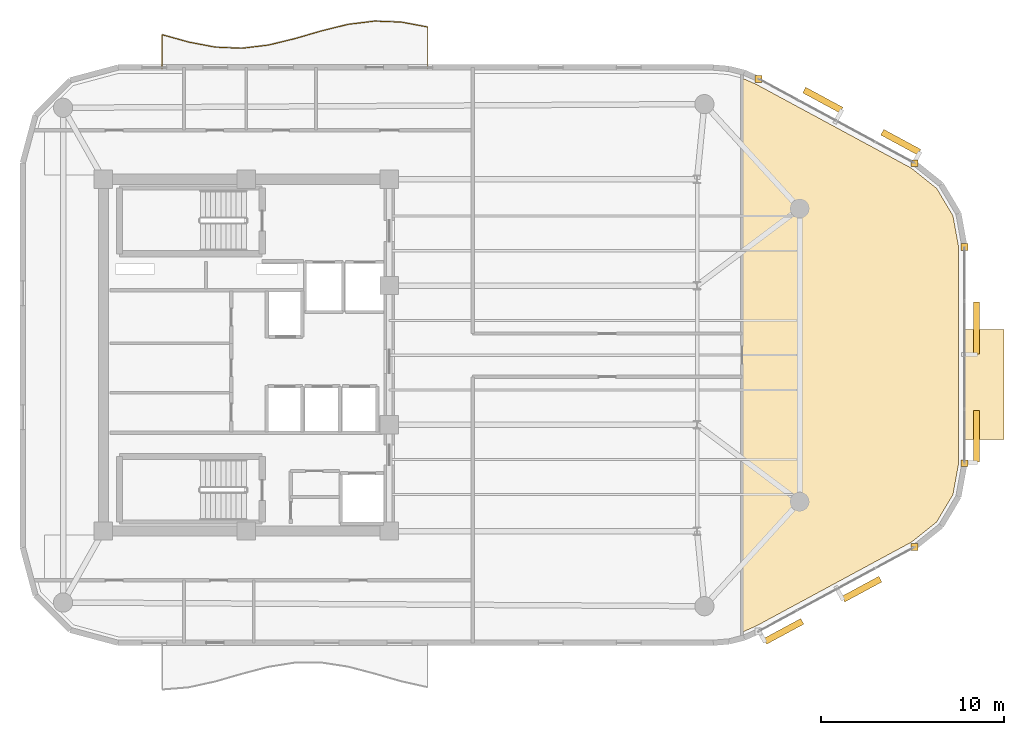
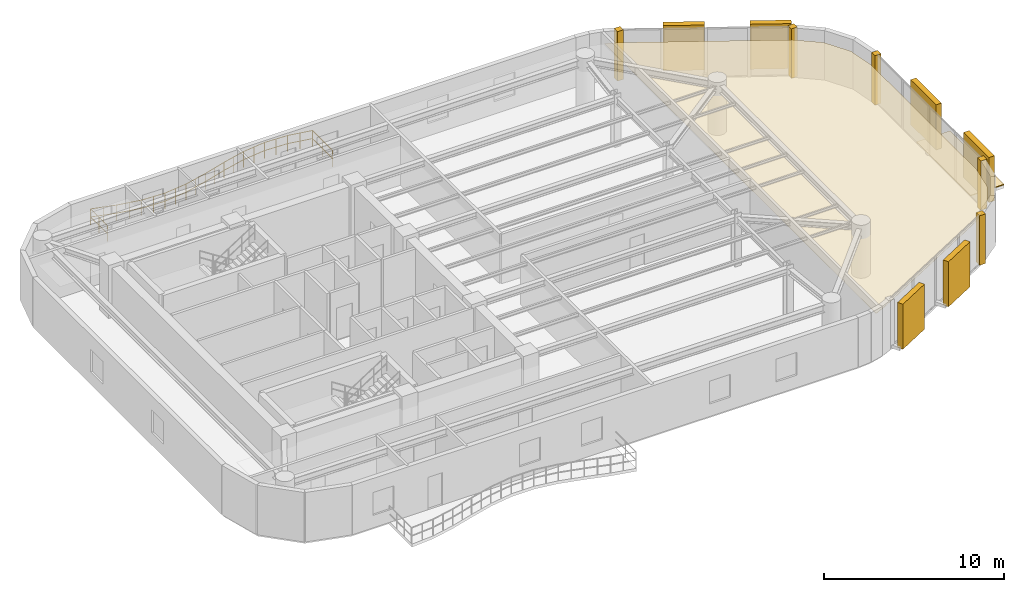
# One storey, part 13 of 13: 7 coverings, 6 shading devices, 1 railing.
"""IFC4 building model written with IfcOpenShell, lengths in metres."""

import ifcopenshell
import ifcopenshell.guid

model = None  # the IFC model being written
_history = None  # IfcOwnerHistory: only IFC2X3 demands one
_inside = {}  # id of a spatial element -> (the spatial element, [elements in it])
_under = {}  # id of a project, library or spatial element -> (it, [spatial elements below it])
_declared = {}  # id of a project -> (the project, [libraries it declares])
_typed = {}  # id of a type object -> (the type object, [elements of that type])
_made_of = {}  # id of a material, layer set ... -> (it, [elements and type objects made of it])


def new_model(schema):
    """Start an empty IFC model of exactly this schema.

    Asked for "IFC4X3", IfcOpenShell would pick the latest addendum, in which some entities
    have other attributes; the version numbers below select the first issue.
    IFC2X3 requires an IfcOwnerHistory on every rooted entity: one is made here for all.
    """
    global model, _history
    if schema == "IFC4X3":
        model = ifcopenshell.file(schema_version=(4, 3, 0, 0))
    else:
        model = ifcopenshell.file(schema=schema)
    _inside.clear()
    _under.clear()
    _declared.clear()
    _typed.clear()
    _made_of.clear()
    _history = None
    if model.schema == "IFC2X3":
        org = make("IfcOrganization", Name="unknown")
        user = make(
            "IfcPersonAndOrganization",
            ThePerson=make("IfcPerson", FamilyName="unknown"),
            TheOrganization=org,
        )
        app = make(
            "IfcApplication",
            ApplicationDeveloper=org,
            Version="unknown",
            ApplicationFullName="unknown",
            ApplicationIdentifier="unknown",
        )
        _history = make(
            "IfcOwnerHistory",
            OwningUser=user,
            OwningApplication=app,
            ChangeAction="ADDED",
            CreationDate=0,
        )
    return model


def make(cls, **values):
    """One entity of the class cls with the attributes given. An attribute that is None is left unset."""
    return model.create_entity(
        cls, **{name: value for name, value in values.items() if value is not None}
    )


def rooted(cls, **values):
    """An entity with a GlobalId (a new one), such as an element, a storey or a relation."""
    return make(cls, GlobalId=ifcopenshell.guid.new(), OwnerHistory=_history, **values)


def si_unit(unit_type, name, prefix=None):
    """IfcSIUnit, for example si_unit("LENGTHUNIT", "METRE", prefix="MILLI")."""
    return make("IfcSIUnit", UnitType=unit_type, Prefix=prefix, Name=name)


def assignment(units):
    """IfcUnitAssignment: the units of a project."""
    return None if units is None else make("IfcUnitAssignment", Units=units)


def point(xyz):
    """IfcCartesianPoint."""
    return None if xyz is None else make("IfcCartesianPoint", Coordinates=xyz)


def direction(xyz):
    """IfcDirection."""
    return None if xyz is None else make("IfcDirection", DirectionRatios=xyz)


def frame(location, z_axis=None, x_axis=None):
    """IfcAxis2Placement3D, a coordinate frame: its origin and axes. An axis left out is left unset."""
    return make(
        "IfcAxis2Placement3D",
        Location=point(location),
        Axis=direction(z_axis),
        RefDirection=direction(x_axis),
    )


def frame_2d(location, x_axis=None):
    """IfcAxis2Placement2D, a coordinate frame in the plane: its origin and x axis."""
    return make(
        "IfcAxis2Placement2D", Location=point(location), RefDirection=direction(x_axis)
    )


def origin():
    """The frame at (0, 0, 0) with its axes left unset."""
    return frame((0.0, 0.0, 0.0))


def origin_2d():
    """The frame at (0, 0) in the plane with its x axis left unset."""
    return frame_2d((0.0, 0.0))


def place(relative_to, where):
    """IfcLocalPlacement: puts the frame where relative to a parent placement (None: the world)."""
    return make(
        "IfcLocalPlacement", PlacementRelTo=relative_to, RelativePlacement=where
    )


def context(
    kind, dimensions, precision=None, world=None, true_north=None, identifier=None
):
    """IfcGeometricRepresentationContext, for example the 3D "Model" context."""
    return make(
        "IfcGeometricRepresentationContext",
        ContextIdentifier=identifier,
        ContextType=kind,
        CoordinateSpaceDimension=dimensions,
        Precision=precision,
        WorldCoordinateSystem=world,
        TrueNorth=true_north,
    )


def subcontext(parent, identifier, kind, view, scale=None):
    """IfcGeometricRepresentationSubContext, for example "Body" below "Model"."""
    return make(
        "IfcGeometricRepresentationSubContext",
        ContextIdentifier=identifier,
        ContextType=kind,
        ParentContext=parent,
        TargetScale=scale,
        TargetView=view,
    )


def project(units=None, contexts=None):
    """IfcProject with its units and contexts."""
    return rooted(
        "IfcProject",
        Name="project",
        RepresentationContexts=contexts,
        UnitsInContext=assignment(units),
    )


def spatial(cls, under=None, at=None, **own):
    """A site, building, storey or space (cls), placed at a placement, below another one or the project."""
    s = rooted(cls, ObjectPlacement=at, **own)
    if under is not None:
        _under.setdefault(under.id(), (under, []))[1].append(s)
    return s


def polyline(points):
    """IfcPolyline through the points."""
    return make("IfcPolyline", Points=[point(p) for p in points])


def profile(cls, at=None, kind="AREA", **sizes):
    """A parametric profile (cls). Its sizes go by their IFC names, for example OverallWidth=200.0."""
    return make(cls, ProfileType=kind, Position=at, **sizes)


def rectangle(**sizes):
    """IfcRectangleProfileDef."""
    return profile("IfcRectangleProfileDef", **sizes)


def circle(**sizes):
    """IfcCircleProfileDef."""
    return profile("IfcCircleProfileDef", **sizes)


def outline(outer, holes=None, kind="AREA"):
    """IfcArbitraryClosedProfileDef: a profile drawn as a closed curve; with holes, ...WithVoids."""
    if holes is None:
        return make("IfcArbitraryClosedProfileDef", ProfileType=kind, OuterCurve=outer)
    return make(
        "IfcArbitraryProfileDefWithVoids",
        ProfileType=kind,
        OuterCurve=outer,
        InnerCurves=holes,
    )


def extrude(swept, where, along, depth):
    """IfcExtrudedAreaSolid: the profile swept, set in the frame where, extruded along a direction by depth."""
    return make(
        "IfcExtrudedAreaSolid",
        SweptArea=swept,
        Position=where,
        ExtrudedDirection=direction(along),
        Depth=depth,
    )


def shape(context_of_items, identifier, shape_type, items):
    """IfcShapeRepresentation: the items that make up one representation, for example the "Body"."""
    return make(
        "IfcShapeRepresentation",
        ContextOfItems=context_of_items,
        RepresentationIdentifier=identifier,
        RepresentationType=shape_type,
        Items=items,
    )


def material(Name=None, Category=None):
    """IfcMaterial."""
    return make("IfcMaterial", Name=Name, Category=Category)


def layer(
    of_material, thickness, ventilated=None, Name=None, Category=None, Priority=None
):
    """IfcMaterialLayer: one layer of a wall or slab, of a material (None: an air gap)."""
    return make(
        "IfcMaterialLayer",
        Material=of_material,
        LayerThickness=thickness,
        IsVentilated=ventilated,
        Name=Name,
        Category=Category,
        Priority=Priority,
    )


def layer_set(layers, Name=None):
    """IfcMaterialLayerSet."""
    return make("IfcMaterialLayerSet", MaterialLayers=layers, LayerSetName=Name)


def made_of(thing, what):
    """Note that an element or type object is made of a material, layer set ...; save() writes the relation."""
    if what is not None:
        _made_of.setdefault(what.id(), (what, []))[1].append(thing)
    return thing


def type_object(cls, material=None, **own):
    """A type object (cls), such as IfcWallType, which elements share."""
    return made_of(rooted(cls, **own), material)


def element(
    cls,
    number,
    at=None,
    inside=None,
    cuts=None,
    type_object=None,
    material=None,
    context=None,
    identifier="Body",
    shape_type=None,
    held_by="IfcProductDefinitionShape",
    body=None,
    shapes=None,
    **own,
):
    """One element of the class cls, such as IfcWall. Its Tag is "e" and its number.

    at: its placement. inside: the storey or other place that contains it. cuts: it is an
    opening in that element (IfcRelVoidsElement). A single representation is given by context,
    identifier, shape_type and body (its items); several are given by shapes. held_by: the class
    of the entity that holds the representations. save() writes the other relations.
    """
    e = rooted(cls, Tag="e%d" % number, ObjectPlacement=at, **own)
    if body is not None:
        shapes = [shape(context, identifier, shape_type, body)]
    if shapes is not None:
        e.Representation = make(held_by, Representations=shapes)
    if inside is not None:
        _inside.setdefault(inside.id(), (inside, []))[1].append(e)
    if cuts is not None:
        rooted(
            "IfcRelVoidsElement", RelatingBuildingElement=cuts, RelatedOpeningElement=e
        )
    if type_object is not None:
        _typed.setdefault(type_object.id(), (type_object, []))[1].append(e)
    return made_of(e, material)


def aggregate(whole, parts):
    """IfcRelAggregates: a whole, such as a stair, and the parts it consists of."""
    return rooted("IfcRelAggregates", RelatingObject=whole, RelatedObjects=parts)


def save(model, path):
    """Write the relations noted so far, then the file.

    IfcRelAggregates (storeys below a building ...), IfcRelContainedInSpatialStructure (elements
    in a storey), IfcRelDefinesByType, IfcRelAssociatesMaterial and IfcRelDeclares: one each for
    every whole, place, type object, material and project.
    """
    for whole, parts in _under.values():
        aggregate(whole, parts)
    for where, things in _inside.values():
        rooted(
            "IfcRelContainedInSpatialStructure",
            RelatedElements=things,
            RelatingStructure=where,
        )
    for kind, things in _typed.values():
        rooted("IfcRelDefinesByType", RelatedObjects=things, RelatingType=kind)
    for what, things in _made_of.values():
        rooted("IfcRelAssociatesMaterial", RelatedObjects=things, RelatingMaterial=what)
    for by, libraries in _declared.values():
        rooted("IfcRelDeclares", RelatingContext=by, RelatedDefinitions=libraries)
    model.write(path)


model = new_model("IFC4")

# Units and contexts
model_context = context("Model", 3, precision=1e-05, world=origin(), true_north=direction((0.0, 1.0)))
body_context = subcontext(model_context, "Body", "Model", "MODEL_VIEW")
ifc_project = project(units=[si_unit("LENGTHUNIT", "METRE"), si_unit("AREAUNIT", "SQUARE_METRE"), si_unit("VOLUMEUNIT", "CUBIC_METRE"), si_unit("PLANEANGLEUNIT", "RADIAN"), si_unit("MASSUNIT", "GRAM", prefix="KILO")], contexts=[model_context])

# Site, building, storey
site_placement = place(None, origin())
site = spatial("IfcSite", under=ifc_project, at=site_placement, CompositionType="ELEMENT")
building_placement = place(site_placement, origin())
building = spatial("IfcBuilding", under=site, at=building_placement, Name="An Khanh Terracotta Commons", CompositionType="ELEMENT")
storey_placement = place(building_placement, frame((0.0, 0.0, 244.5)))
storey = spatial("IfcBuildingStorey", under=building, at=storey_placement, Name="L64", CompositionType="ELEMENT", Elevation=244.5)

# Coverings
ifc_material_1 = material(Name="Perforated Mineral-Fibre Acoustic Tile")
ifc_layer_1 = layer(ifc_material_1, 0.02001953125, Name="Perforated Mineral-Fibre Acoustic Tile")
ifc_layer_set_1 = layer_set([ifc_layer_1], Name="Perforated Mineral-Fibre Acoustic Tile")
covering_type_1 = type_object("IfcCoveringType", Name="CEIL-ACOUSTIC-18", PredefinedType="CEILING", material=ifc_layer_set_1)
covering_1_placement = place(storey_placement, frame((0.0, 0.0, 2.64990234375)))
element("IfcCovering", 1, at=covering_1_placement, inside=storey, type_object=covering_type_1, Name="L64 Riverfront Reference Library Ceiling", PredefinedType="CEILING", context=body_context, shape_type="SweptSolid", body=[
    extrude(outline(polyline([(56.467041015625, 39.114990234375), (57.217041015625, 38.787109375), (65.695068359375, 34.2060546875), (67.074951171875, 33.10205078125), (67.964111328125, 31.610107421875), (68.280029296875, 29.8701171875), (68.280029296875, 18.1298828125), (67.964111328125, 16.389892578125), (67.074951171875, 14.89794921875), (65.695068359375, 13.7939453125), (57.217041015625, 9.212890625), (56.467041015625, 8.885009765625), (56.449951171875, 8.8798828125), (56.449951171875, 22.820068359375), (56.449951171875, 25.179931640625), (56.449951171875, 39.1201171875), (56.467041015625, 39.114990234375)])), origin(), (0.0, 0.0, 1.0), 0.02001953125),
])
ifc_material_2 = material(Name="Fired Terracotta Rainscreen Cladding", Category="masonry")
ifc_layer_2 = layer(ifc_material_2, 0.080078125, Name="Fired Terracotta Rainscreen Cladding")
ifc_layer_set_2 = layer_set([ifc_layer_2], Name="Fired Terracotta Rainscreen Cladding")
covering_type_2 = type_object("IfcCoveringType", Name="COV-JAMB-TERRA", PredefinedType="CLADDING", material=ifc_layer_set_2)
for number, where, z_axis, x_axis, name in (
    (2, (65.8720703125, 13.52587890625, 0.0), (0.0, 0.0, 1.0), (1.0, 0.0, 0.0), "L64 CW-03 Curtain-Wall Jamb Closure JB"),
    (3, (68.60009765625, 18.10107421875, 0.0), (0.0, 0.0, 1.0), (1.0, 0.0, 0.0), "L64 CW-03 Curtain-Wall Jamb Closure JA"),
    (4, (68.60009765625, 29.89892578125, 0.0), (0.0, 0.0, 1.0), (1.0, 0.0, 0.0), "L64 CW-03 Curtain-Wall Jamb Closure JB"),
    (5, (65.8720703125, 34.47412109375, 0.0), (0.0, 0.0, 1.0), (1.0, 0.0, 0.0), "L64 CW-03 Curtain-Wall Jamb Closure JA"),
    (6, (57.35693359375, 39.074951171875, 0.0), (0.0, 0.0, 1.0), (1.0, 0.0, 0.0), "L64 CW-03 Curtain-Wall Jamb Closure JB"),
):
    element("IfcCovering", number, at=place(storey_placement, frame(where, z_axis=z_axis, x_axis=x_axis)), inside=storey, type_object=covering_type_2, Name=name, PredefinedType="CLADDING", context=body_context, shape_type="SweptSolid", body=[
        extrude(rectangle(XDim=0.3798828125, YDim=0.3798828125, at=origin_2d()), origin(), (0.0, 0.0, 1.0), 3.360107421875),
    ])
ifc_material_3 = material(Name="Planted Garden Waterproofing Membrane")
ifc_layer_3 = layer(ifc_material_3, 0.080078125, Name="Planted Garden Waterproofing Membrane")
ifc_layer_set_3 = layer_set([ifc_layer_3], Name="Planted Garden Waterproofing Membrane")
covering_type_3 = type_object("IfcCoveringType", Name="COV-ROOFING-GREEN", PredefinedType="ROOFING", material=ifc_layer_set_3)
covering_2_placement = place(storey_placement, origin())
element("IfcCovering", 7, at=covering_2_placement, inside=storey, type_object=covering_type_3, Name="L64 Shifted Box Roof Waterproofing (L63)", PredefinedType="ROOFING", context=body_context, shape_type="SweptSolid", body=[
    extrude(outline(polyline([(68.60009765625, 19.39990234375), (70.75, 19.39990234375), (70.75, 25.39990234375), (68.60009765625, 25.39990234375), (68.60009765625, 19.39990234375)])), origin(), (0.0, 0.0, 1.0), 0.06005859375),
])

# Railing
ifc_material_4 = material(Name="Brushed Stainless Steel 316", Category="steel")
railing_type = type_object("IfcRailingType", Name="RAIL-BALUSTRADE-1100", PredefinedType="BALUSTRADE", material=ifc_material_4)
railing_placement = place(storey_placement, frame((39.300048828125, 39.639892578125, 0.0)))
element("IfcRailing", 8, at=railing_placement, inside=storey, type_object=railing_type, Name="L64 N Wave Balcony Guard Balustrade", PredefinedType="BALUSTRADE", context=body_context, shape_type="SweptSolid", body=[
    extrude(circle(Radius=0.02392578125, at=origin_2d()), frame((0.0, 0.0, 1.076171875), z_axis=(0.0, 1.0, 0.0), x_axis=(-1.0, 0.0, 0.0)), (0.0, 0.0, 1.0), 2.26708984375),
    extrude(circle(Radius=0.02392578125, at=origin_2d()), frame((0.0, 0.0, 0.52587890625), z_axis=(0.0, 1.0, 0.0), x_axis=(-1.0, 0.0, 0.0)), (0.0, 0.0, 1.0), 2.26708984375),
    extrude(circle(Radius=0.02392578125, at=origin_2d()), frame((0.0, 2.26708984375, 1.076171875), z_axis=(-0.983098191406, 0.183079070499, 0.0), x_axis=(-0.183079070499, -0.983098191406, 0.0)), (0.0, 0.0, 1.0), 1.474853515625),
    extrude(circle(Radius=0.02392578125, at=origin_2d()), frame((0.0, 2.26708984375, 0.52587890625), z_axis=(-0.983098191406, 0.183079070499, 0.0), x_axis=(-0.183079070499, -0.983098191406, 0.0)), (0.0, 0.0, 1.0), 1.474853515625),
    extrude(circle(Radius=0.02392578125, at=origin_2d()), frame((-1.449951171875, 2.537109375, 1.076171875), z_axis=(-0.9993085973, 0.0371796633, 0.0), x_axis=(-0.0371796633, -0.9993085973, 0.0)), (0.0, 0.0, 1.0), 1.451171875),
    extrude(circle(Radius=0.02392578125, at=origin_2d()), frame((-1.449951171875, 2.537109375, 0.52587890625), z_axis=(-0.9993085973, 0.0371796633, 0.0), x_axis=(-0.0371796633, -0.9993085973, 0.0)), (0.0, 0.0, 1.0), 1.451171875),
    extrude(circle(Radius=0.02392578125, at=origin_2d()), frame((-2.900146484375, 2.591064453125, 1.076171875), z_axis=(-0.992388023627, -0.123150357537, 0.0), x_axis=(0.123150357537, -0.992388023627, 0.0)), (0.0, 0.0, 1.0), 1.461181640625),
    extrude(circle(Radius=0.02392578125, at=origin_2d()), frame((-2.900146484375, 2.591064453125, 0.52587890625), z_axis=(-0.992388023627, -0.123150357537, 0.0), x_axis=(0.123150357537, -0.992388023627, 0.0)), (0.0, 0.0, 1.0), 1.461181640625),
    extrude(circle(Radius=0.02392578125, at=origin_2d()), frame((-4.35009765625, 2.4111328125, 1.076171875), z_axis=(-0.971011376095, -0.239033276958, 0.0), x_axis=(0.239033276958, -0.971011376095, 0.0)), (0.0, 0.0, 1.0), 1.4931640625),
    extrude(circle(Radius=0.02392578125, at=origin_2d()), frame((-4.35009765625, 2.4111328125, 0.52587890625), z_axis=(-0.971011376095, -0.239033276958, 0.0), x_axis=(0.239033276958, -0.971011376095, 0.0)), (0.0, 0.0, 1.0), 1.4931640625),
    extrude(circle(Radius=0.02392578125, at=origin_2d()), frame((-5.800048828125, 2.05419921875, 1.076171875), z_axis=(-0.960139302464, -0.279521948806, 0.0), x_axis=(0.279521948806, -0.960139302464, 0.0)), (0.0, 0.0, 1.0), 1.51025390625),
    extrude(circle(Radius=0.02392578125, at=origin_2d()), frame((-5.800048828125, 2.05419921875, 0.52587890625), z_axis=(-0.960139302464, -0.279521948806, 0.0), x_axis=(0.279521948806, -0.960139302464, 0.0)), (0.0, 0.0, 1.0), 1.51025390625),
    extrude(circle(Radius=0.02392578125, at=origin_2d()), frame((-7.25, 1.632080078125, 1.076171875), z_axis=(-0.971766032005, -0.235946559716, 0.0), x_axis=(0.235946559716, -0.971766032005, 0.0)), (0.0, 0.0, 1.0), 1.4921875),
    extrude(circle(Radius=0.02392578125, at=origin_2d()), frame((-7.25, 1.632080078125, 0.52587890625), z_axis=(-0.971766032005, -0.235946559716, 0.0), x_axis=(0.235946559716, -0.971766032005, 0.0)), (0.0, 0.0, 1.0), 1.4921875),
    extrude(circle(Radius=0.02392578125, at=origin_2d()), frame((-8.699951171875, 1.280029296875, 1.076171875), z_axis=(-0.992971444667, -0.118354172193, 0.0), x_axis=(0.118354172193, -0.992971444667, 0.0)), (0.0, 0.0, 1.0), 1.46044921875),
    extrude(circle(Radius=0.02392578125, at=origin_2d()), frame((-8.699951171875, 1.280029296875, 0.52587890625), z_axis=(-0.992971444667, -0.118354172193, 0.0), x_axis=(0.118354172193, -0.992971444667, 0.0)), (0.0, 0.0, 1.0), 1.46044921875),
    extrude(circle(Radius=0.02392578125, at=origin_2d()), frame((-10.150146484375, 1.107177734375, 1.076171875), z_axis=(-0.999086695694, 0.042729082456, 0.0), x_axis=(-0.042729082456, -0.999086695694, 0.0)), (0.0, 0.0, 1.0), 1.451171875),
    extrude(circle(Radius=0.02392578125, at=origin_2d()), frame((-10.150146484375, 1.107177734375, 0.52587890625), z_axis=(-0.999086695694, 0.042729082456, 0.0), x_axis=(-0.042729082456, -0.999086695694, 0.0)), (0.0, 0.0, 1.0), 1.451171875),
    extrude(circle(Radius=0.02392578125, at=origin_2d()), frame((-11.60009765625, 1.169189453125, 1.076171875), z_axis=(-0.982254505579, 0.187552889262, 0.0), x_axis=(-0.187552889262, -0.982254505579, 0.0)), (0.0, 0.0, 1.0), 1.47607421875),
    extrude(circle(Radius=0.02392578125, at=origin_2d()), frame((-11.60009765625, 1.169189453125, 0.52587890625), z_axis=(-0.982254505579, 0.187552889262, 0.0), x_axis=(-0.187552889262, -0.982254505579, 0.0)), (0.0, 0.0, 1.0), 1.47607421875),
    extrude(circle(Radius=0.02392578125, at=origin_2d()), frame((-13.050048828125, 1.446044921875, 1.076171875), z_axis=(-0.963296824623, 0.268438498864, 0.0), x_axis=(-0.268438498864, -0.963296824623, 0.0)), (0.0, 0.0, 1.0), 1.505126953125),
    extrude(circle(Radius=0.02392578125, at=origin_2d()), frame((-13.050048828125, 1.446044921875, 0.52587890625), z_axis=(-0.963296824623, 0.268438498864, 0.0), x_axis=(-0.268438498864, -0.963296824623, 0.0)), (0.0, 0.0, 1.0), 1.505126953125),
    extrude(circle(Radius=0.02392578125, at=origin_2d()), frame((-14.5, 1.85009765625, 1.076171875), z_axis=(0.0, -1.0, 0.0), x_axis=(1.0, 0.0, 0.0)), (0.0, 0.0, 1.0), 1.85009765625),
    extrude(circle(Radius=0.02392578125, at=origin_2d()), frame((-14.5, 1.85009765625, 0.52587890625), z_axis=(0.0, -1.0, 0.0), x_axis=(1.0, 0.0, 0.0)), (0.0, 0.0, 1.0), 1.85009765625),
    extrude(circle(Radius=0.02099609375, at=origin_2d()), origin(), (0.0, 0.0, 1.0), 1.052001953125),
    extrude(circle(Radius=0.02099609375, at=origin_2d()), frame((0.0, 1.133544921875, 0.0)), (0.0, 0.0, 1.0), 1.052001953125),
    extrude(circle(Radius=0.02099609375, at=origin_2d()), frame((0.0, 2.26708984375, 0.0)), (0.0, 0.0, 1.0), 1.052001953125),
    extrude(circle(Radius=0.02099609375, at=origin_2d()), frame((-0.72509765625, 2.402099609375, 0.0)), (0.0, 0.0, 1.0), 1.052001953125),
    extrude(circle(Radius=0.02099609375, at=origin_2d()), frame((-1.449951171875, 2.537109375, 0.0)), (0.0, 0.0, 1.0), 1.052001953125),
    extrude(circle(Radius=0.02099609375, at=origin_2d()), frame((-2.175048828125, 2.56396484375, 0.0)), (0.0, 0.0, 1.0), 1.052001953125),
    extrude(circle(Radius=0.02099609375, at=origin_2d()), frame((-2.900146484375, 2.591064453125, 0.0)), (0.0, 0.0, 1.0), 1.052001953125),
    extrude(circle(Radius=0.02099609375, at=origin_2d()), frame((-3.625, 2.5009765625, 0.0)), (0.0, 0.0, 1.0), 1.052001953125),
    extrude(circle(Radius=0.02099609375, at=origin_2d()), frame((-4.35009765625, 2.4111328125, 0.0)), (0.0, 0.0, 1.0), 1.052001953125),
    extrude(circle(Radius=0.02099609375, at=origin_2d()), frame((-5.0751953125, 2.232666015625, 0.0)), (0.0, 0.0, 1.0), 1.052001953125),
    extrude(circle(Radius=0.02099609375, at=origin_2d()), frame((-5.800048828125, 2.05419921875, 0.0)), (0.0, 0.0, 1.0), 1.052001953125),
    extrude(circle(Radius=0.02099609375, at=origin_2d()), frame((-6.52490234375, 1.84326171875, 0.0)), (0.0, 0.0, 1.0), 1.052001953125),
    extrude(circle(Radius=0.02099609375, at=origin_2d()), frame((-7.25, 1.632080078125, 0.0)), (0.0, 0.0, 1.0), 1.052001953125),
    extrude(circle(Radius=0.02099609375, at=origin_2d()), frame((-7.97509765625, 1.4560546875, 0.0)), (0.0, 0.0, 1.0), 1.052001953125),
    extrude(circle(Radius=0.02099609375, at=origin_2d()), frame((-8.699951171875, 1.280029296875, 0.0)), (0.0, 0.0, 1.0), 1.052001953125),
    extrude(circle(Radius=0.02099609375, at=origin_2d()), frame((-9.425048828125, 1.193603515625, 0.0)), (0.0, 0.0, 1.0), 1.052001953125),
    extrude(circle(Radius=0.02099609375, at=origin_2d()), frame((-10.150146484375, 1.107177734375, 0.0)), (0.0, 0.0, 1.0), 1.052001953125),
    extrude(circle(Radius=0.02099609375, at=origin_2d()), frame((-10.875, 1.13818359375, 0.0)), (0.0, 0.0, 1.0), 1.052001953125),
    extrude(circle(Radius=0.02099609375, at=origin_2d()), frame((-11.60009765625, 1.169189453125, 0.0)), (0.0, 0.0, 1.0), 1.052001953125),
    extrude(circle(Radius=0.02099609375, at=origin_2d()), frame((-12.3251953125, 1.3076171875, 0.0)), (0.0, 0.0, 1.0), 1.052001953125),
    extrude(circle(Radius=0.02099609375, at=origin_2d()), frame((-13.050048828125, 1.446044921875, 0.0)), (0.0, 0.0, 1.0), 1.052001953125),
    extrude(circle(Radius=0.02099609375, at=origin_2d()), frame((-13.77490234375, 1.64794921875, 0.0)), (0.0, 0.0, 1.0), 1.052001953125),
    extrude(circle(Radius=0.02099609375, at=origin_2d()), frame((-14.5, 1.85009765625, 0.0)), (0.0, 0.0, 1.0), 1.052001953125),
    extrude(circle(Radius=0.02099609375, at=origin_2d()), frame((-14.5, 0.925048828125, 0.0)), (0.0, 0.0, 1.0), 1.052001953125),
    extrude(circle(Radius=0.02099609375, at=origin_2d()), frame((-14.5, 0.0, 0.0)), (0.0, 0.0, 1.0), 1.052001953125),
])

# Shading devices
ifc_material_5 = material(Name="Extruded Fired Terracotta", Category="masonry")
shading_device_type = type_object("IfcShadingDeviceType", Name="Terracotta Baguette Screen Assembly", PredefinedType="USERDEFINED", material=ifc_material_5)
for number, where, z_axis, x_axis, name in (
    (9, (58.72998046875, 8.927978515625, 0.14990234375), (0.0, 0.0, 1.0), (0.879780095306, 0.47538088298, 0.0), "L64 Terracotta Baguette Screen 1"),
    (10, (62.988037109375, 11.22900390625, 0.14990234375), (0.0, 0.0, 1.0), (0.879780095306, 0.47538088298, 0.0), "L64 Terracotta Baguette Screen 3"),
):
    element("IfcShadingDevice", number, at=place(storey_placement, frame(where, z_axis=z_axis, x_axis=x_axis)), inside=storey, type_object=shading_device_type, Name=name, ObjectType="BAGUETTE", PredefinedType="USERDEFINED", context=body_context, shape_type="SweptSolid", body=[
        extrude(rectangle(XDim=2.300048828125, YDim=0.35009765625, at=origin_2d()), origin(), (0.0, 0.0, 1.0), 3.06005859375),
    ])
for number, where, z_axis, x_axis, name in (
    (11, (69.25, 19.575927734375, 0.14990234375), (0.0, 0.0, 1.0), (0.0, 1.0, 0.0), "L64 Terracotta Baguette Screen 1"),
    (12, (69.25, 25.47509765625, 0.14990234375), (0.0, 0.0, 1.0), (0.0, 1.0, 0.0), "L64 Terracotta Baguette Screen 3"),
):
    element("IfcShadingDevice", number, at=place(storey_placement, frame(where, z_axis=z_axis, x_axis=x_axis)), inside=storey, type_object=shading_device_type, Name=name, ObjectType="BAGUETTE", PredefinedType="USERDEFINED", context=body_context, shape_type="SweptSolid", body=[
        extrude(rectangle(XDim=2.830078125, YDim=0.35009765625, at=origin_2d()), origin(), (0.0, 0.0, 1.0), 3.06005859375),
    ])
for number, where, z_axis, x_axis, name in (
    (13, (65.116943359375, 35.62109375, 0.14990234375), (0.0, 0.0, 1.0), (-0.879780095306, 0.47538088298, 0.0), "L64 Terracotta Baguette Screen 1"),
    (14, (60.85888671875, 37.9208984375, 0.14990234375), (0.0, 0.0, 1.0), (-0.879780095306, 0.47538088298, 0.0), "L64 Terracotta Baguette Screen 3"),
):
    element("IfcShadingDevice", number, at=place(storey_placement, frame(where, z_axis=z_axis, x_axis=x_axis)), inside=storey, type_object=shading_device_type, Name=name, ObjectType="BAGUETTE", PredefinedType="USERDEFINED", context=body_context, shape_type="SweptSolid", body=[
        extrude(rectangle(XDim=2.300048828125, YDim=0.35009765625, at=origin_2d()), origin(), (0.0, 0.0, 1.0), 3.06005859375),
    ])

save(model, "model.ifc")
